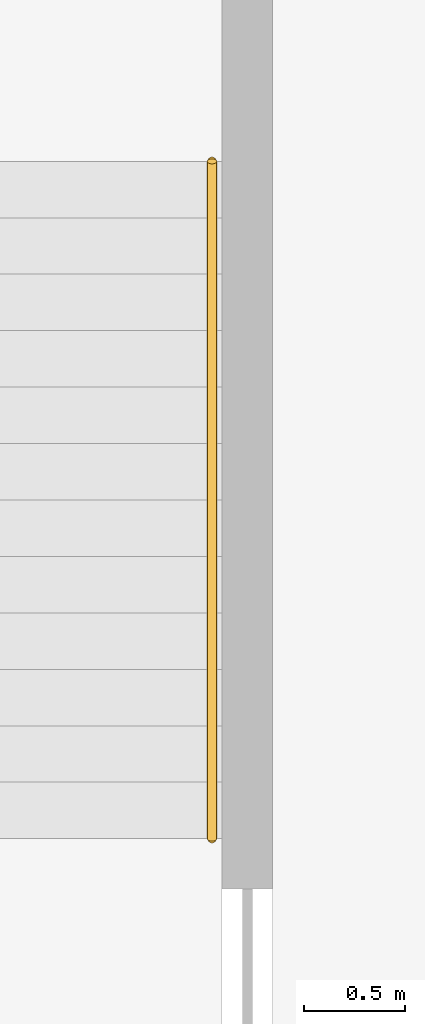
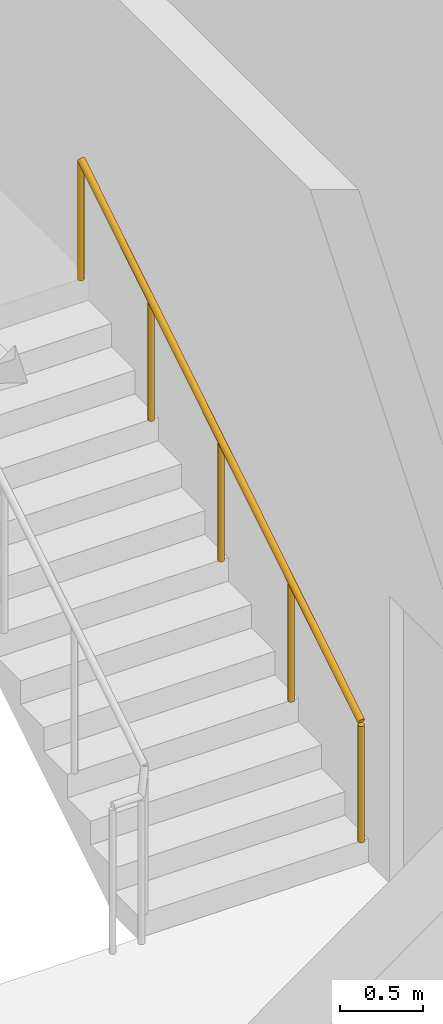
# One storey, part 20 of 21: 1 railing.
"""IFC4 building model written with IfcOpenShell, lengths in metres."""

import ifcopenshell
import ifcopenshell.guid

model = None  # the IFC model being written
_history = None  # IfcOwnerHistory: only IFC2X3 demands one
_inside = {}  # id of a spatial element -> (the spatial element, [elements in it])
_under = {}  # id of a project, library or spatial element -> (it, [spatial elements below it])
_declared = {}  # id of a project -> (the project, [libraries it declares])
_typed = {}  # id of a type object -> (the type object, [elements of that type])
_made_of = {}  # id of a material, layer set ... -> (it, [elements and type objects made of it])


def new_model(schema):
    """Start an empty IFC model of exactly this schema.

    Asked for "IFC4X3", IfcOpenShell would pick the latest addendum, in which some entities
    have other attributes; the version numbers below select the first issue.
    IFC2X3 requires an IfcOwnerHistory on every rooted entity: one is made here for all.
    """
    global model, _history
    if schema == "IFC4X3":
        model = ifcopenshell.file(schema_version=(4, 3, 0, 0))
    else:
        model = ifcopenshell.file(schema=schema)
    _inside.clear()
    _under.clear()
    _declared.clear()
    _typed.clear()
    _made_of.clear()
    _history = None
    if model.schema == "IFC2X3":
        org = make("IfcOrganization", Name="unknown")
        user = make(
            "IfcPersonAndOrganization",
            ThePerson=make("IfcPerson", FamilyName="unknown"),
            TheOrganization=org,
        )
        app = make(
            "IfcApplication",
            ApplicationDeveloper=org,
            Version="unknown",
            ApplicationFullName="unknown",
            ApplicationIdentifier="unknown",
        )
        _history = make(
            "IfcOwnerHistory",
            OwningUser=user,
            OwningApplication=app,
            ChangeAction="ADDED",
            CreationDate=0,
        )
    return model


def make(cls, **values):
    """One entity of the class cls with the attributes given. An attribute that is None is left unset."""
    return model.create_entity(
        cls, **{name: value for name, value in values.items() if value is not None}
    )


def rooted(cls, **values):
    """An entity with a GlobalId (a new one), such as an element, a storey or a relation."""
    return make(cls, GlobalId=ifcopenshell.guid.new(), OwnerHistory=_history, **values)


def si_unit(unit_type, name, prefix=None):
    """IfcSIUnit, for example si_unit("LENGTHUNIT", "METRE", prefix="MILLI")."""
    return make("IfcSIUnit", UnitType=unit_type, Prefix=prefix, Name=name)


def assignment(units):
    """IfcUnitAssignment: the units of a project."""
    return None if units is None else make("IfcUnitAssignment", Units=units)


def point(xyz):
    """IfcCartesianPoint."""
    return None if xyz is None else make("IfcCartesianPoint", Coordinates=xyz)


def direction(xyz):
    """IfcDirection."""
    return None if xyz is None else make("IfcDirection", DirectionRatios=xyz)


def frame(location, z_axis=None, x_axis=None):
    """IfcAxis2Placement3D, a coordinate frame: its origin and axes. An axis left out is left unset."""
    return make(
        "IfcAxis2Placement3D",
        Location=point(location),
        Axis=direction(z_axis),
        RefDirection=direction(x_axis),
    )


def frame_2d(location, x_axis=None):
    """IfcAxis2Placement2D, a coordinate frame in the plane: its origin and x axis."""
    return make(
        "IfcAxis2Placement2D", Location=point(location), RefDirection=direction(x_axis)
    )


def origin():
    """The frame at (0, 0, 0) with its axes left unset."""
    return frame((0.0, 0.0, 0.0))


def origin_2d():
    """The frame at (0, 0) in the plane with its x axis left unset."""
    return frame_2d((0.0, 0.0))


def place(relative_to, where):
    """IfcLocalPlacement: puts the frame where relative to a parent placement (None: the world)."""
    return make(
        "IfcLocalPlacement", PlacementRelTo=relative_to, RelativePlacement=where
    )


def context(
    kind, dimensions, precision=None, world=None, true_north=None, identifier=None
):
    """IfcGeometricRepresentationContext, for example the 3D "Model" context."""
    return make(
        "IfcGeometricRepresentationContext",
        ContextIdentifier=identifier,
        ContextType=kind,
        CoordinateSpaceDimension=dimensions,
        Precision=precision,
        WorldCoordinateSystem=world,
        TrueNorth=true_north,
    )


def subcontext(parent, identifier, kind, view, scale=None):
    """IfcGeometricRepresentationSubContext, for example "Body" below "Model"."""
    return make(
        "IfcGeometricRepresentationSubContext",
        ContextIdentifier=identifier,
        ContextType=kind,
        ParentContext=parent,
        TargetScale=scale,
        TargetView=view,
    )


def project(units=None, contexts=None):
    """IfcProject with its units and contexts."""
    return rooted(
        "IfcProject",
        Name="project",
        RepresentationContexts=contexts,
        UnitsInContext=assignment(units),
    )


def spatial(cls, under=None, at=None, **own):
    """A site, building, storey or space (cls), placed at a placement, below another one or the project."""
    s = rooted(cls, ObjectPlacement=at, **own)
    if under is not None:
        _under.setdefault(under.id(), (under, []))[1].append(s)
    return s


def profile(cls, at=None, kind="AREA", **sizes):
    """A parametric profile (cls). Its sizes go by their IFC names, for example OverallWidth=200.0."""
    return make(cls, ProfileType=kind, Position=at, **sizes)


def circle(**sizes):
    """IfcCircleProfileDef."""
    return profile("IfcCircleProfileDef", **sizes)


def extrude(swept, where, along, depth):
    """IfcExtrudedAreaSolid: the profile swept, set in the frame where, extruded along a direction by depth."""
    return make(
        "IfcExtrudedAreaSolid",
        SweptArea=swept,
        Position=where,
        ExtrudedDirection=direction(along),
        Depth=depth,
    )


def shape(context_of_items, identifier, shape_type, items):
    """IfcShapeRepresentation: the items that make up one representation, for example the "Body"."""
    return make(
        "IfcShapeRepresentation",
        ContextOfItems=context_of_items,
        RepresentationIdentifier=identifier,
        RepresentationType=shape_type,
        Items=items,
    )


def material(Name=None, Category=None):
    """IfcMaterial."""
    return make("IfcMaterial", Name=Name, Category=Category)


def made_of(thing, what):
    """Note that an element or type object is made of a material, layer set ...; save() writes the relation."""
    if what is not None:
        _made_of.setdefault(what.id(), (what, []))[1].append(thing)
    return thing


def type_object(cls, material=None, **own):
    """A type object (cls), such as IfcWallType, which elements share."""
    return made_of(rooted(cls, **own), material)


def element(
    cls,
    number,
    at=None,
    inside=None,
    cuts=None,
    type_object=None,
    material=None,
    context=None,
    identifier="Body",
    shape_type=None,
    held_by="IfcProductDefinitionShape",
    body=None,
    shapes=None,
    **own,
):
    """One element of the class cls, such as IfcWall. Its Tag is "e" and its number.

    at: its placement. inside: the storey or other place that contains it. cuts: it is an
    opening in that element (IfcRelVoidsElement). A single representation is given by context,
    identifier, shape_type and body (its items); several are given by shapes. held_by: the class
    of the entity that holds the representations. save() writes the other relations.
    """
    e = rooted(cls, Tag="e%d" % number, ObjectPlacement=at, **own)
    if body is not None:
        shapes = [shape(context, identifier, shape_type, body)]
    if shapes is not None:
        e.Representation = make(held_by, Representations=shapes)
    if inside is not None:
        _inside.setdefault(inside.id(), (inside, []))[1].append(e)
    if cuts is not None:
        rooted(
            "IfcRelVoidsElement", RelatingBuildingElement=cuts, RelatedOpeningElement=e
        )
    if type_object is not None:
        _typed.setdefault(type_object.id(), (type_object, []))[1].append(e)
    return made_of(e, material)


def aggregate(whole, parts):
    """IfcRelAggregates: a whole, such as a stair, and the parts it consists of."""
    return rooted("IfcRelAggregates", RelatingObject=whole, RelatedObjects=parts)


def save(model, path):
    """Write the relations noted so far, then the file.

    IfcRelAggregates (storeys below a building ...), IfcRelContainedInSpatialStructure (elements
    in a storey), IfcRelDefinesByType, IfcRelAssociatesMaterial and IfcRelDeclares: one each for
    every whole, place, type object, material and project.
    """
    for whole, parts in _under.values():
        aggregate(whole, parts)
    for where, things in _inside.values():
        rooted(
            "IfcRelContainedInSpatialStructure",
            RelatedElements=things,
            RelatingStructure=where,
        )
    for kind, things in _typed.values():
        rooted("IfcRelDefinesByType", RelatedObjects=things, RelatingType=kind)
    for what, things in _made_of.values():
        rooted("IfcRelAssociatesMaterial", RelatedObjects=things, RelatingMaterial=what)
    for by, libraries in _declared.values():
        rooted("IfcRelDeclares", RelatingContext=by, RelatedDefinitions=libraries)
    model.write(path)


model = new_model("IFC4")

# Units and contexts
model_context = context("Model", 3, precision=1e-05, world=origin(), true_north=direction((0.0, 1.0)))
body_context = subcontext(model_context, "Body", "Model", "MODEL_VIEW")
ifc_project = project(units=[si_unit("LENGTHUNIT", "METRE"), si_unit("AREAUNIT", "SQUARE_METRE"), si_unit("VOLUMEUNIT", "CUBIC_METRE"), si_unit("PLANEANGLEUNIT", "RADIAN"), si_unit("MASSUNIT", "GRAM", prefix="KILO")], contexts=[model_context])

# Site, building, storey
site_placement = place(None, origin())
site = spatial("IfcSite", under=ifc_project, at=site_placement, CompositionType="ELEMENT")
building_placement = place(site_placement, origin())
building = spatial("IfcBuilding", under=site, at=building_placement, Name="Tessera Gate Towers", CompositionType="ELEMENT")
storey_placement = place(building_placement, frame((0.0, 0.0, 193.39990234375)))
storey = spatial("IfcBuildingStorey", under=building, at=storey_placement, Name="L48", CompositionType="ELEMENT", Elevation=193.39990234375)

# Railing
ifc_material = material(Name="Steel 350W", Category="steel")
railing_type = type_object("IfcRailingType", Name="STAIR HANDRAIL 900", PredefinedType="HANDRAIL", material=ifc_material)
railing_placement = place(storey_placement, frame((51.824951171875, 41.52490234375, 0.173095703125)))
element("IfcRailing", 1, at=railing_placement, inside=storey, type_object=railing_type, Name="L48 ST2 stair handrail 1", PredefinedType="HANDRAIL", context=body_context, shape_type="SweptSolid", body=[
    extrude(circle(Radius=0.02392578125, at=origin_2d()), frame((0.0, 0.0, 0.8759765625), z_axis=(0.0, 0.850623216509, 0.525775754039), x_axis=(-1.0, 0.0, 0.0)), (0.0, 0.0, 1.0), 3.9501953125),
    extrude(circle(Radius=0.02099609375, at=origin_2d()), origin(), (0.0, 0.0, 1.0), 0.851806640625),
    extrude(circle(Radius=0.02099609375, at=origin_2d()), frame((0.0, 0.840087890625, 0.519287109375)), (0.0, 0.0, 1.0), 0.851806640625),
    extrude(circle(Radius=0.02099609375, at=origin_2d()), frame((0.0, 1.68017578125, 1.03857421875)), (0.0, 0.0, 1.0), 0.851806640625),
    extrude(circle(Radius=0.02099609375, at=origin_2d()), frame((0.0, 2.52001953125, 1.5576171875)), (0.0, 0.0, 1.0), 0.851806640625),
    extrude(circle(Radius=0.02099609375, at=origin_2d()), frame((0.0, 3.360107421875, 2.076904296875)), (0.0, 0.0, 1.0), 0.851806640625),
])

save(model, "model.ifc")
